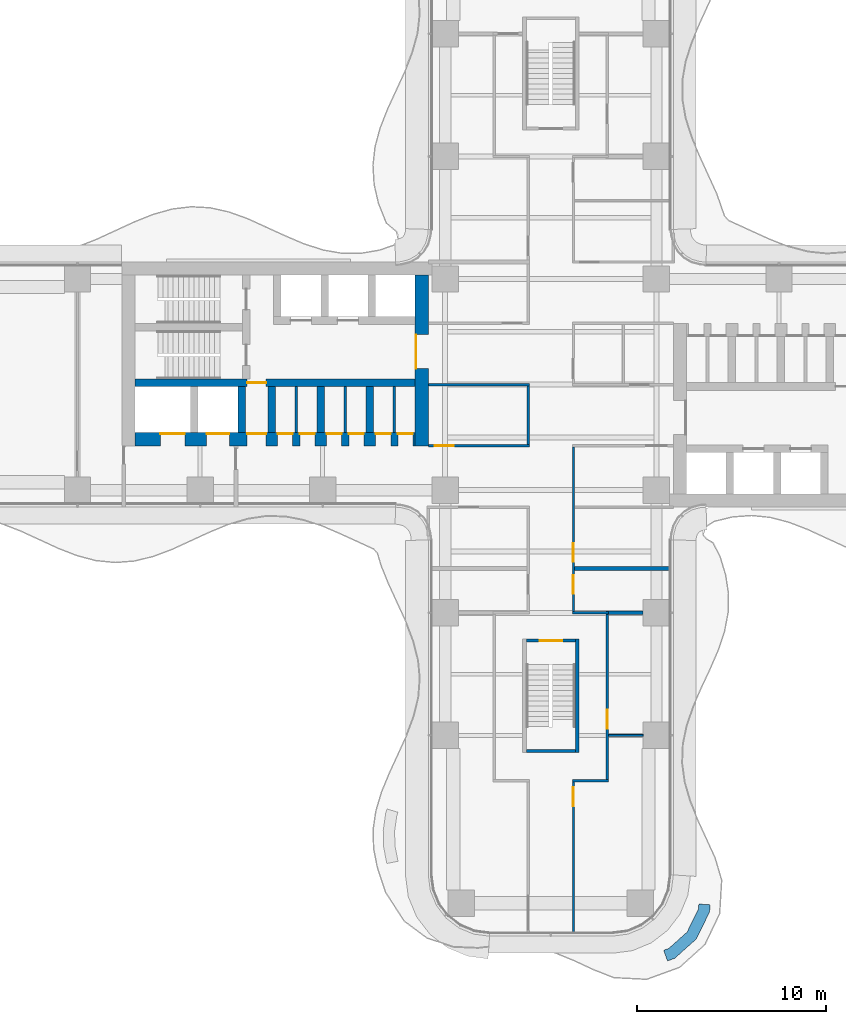
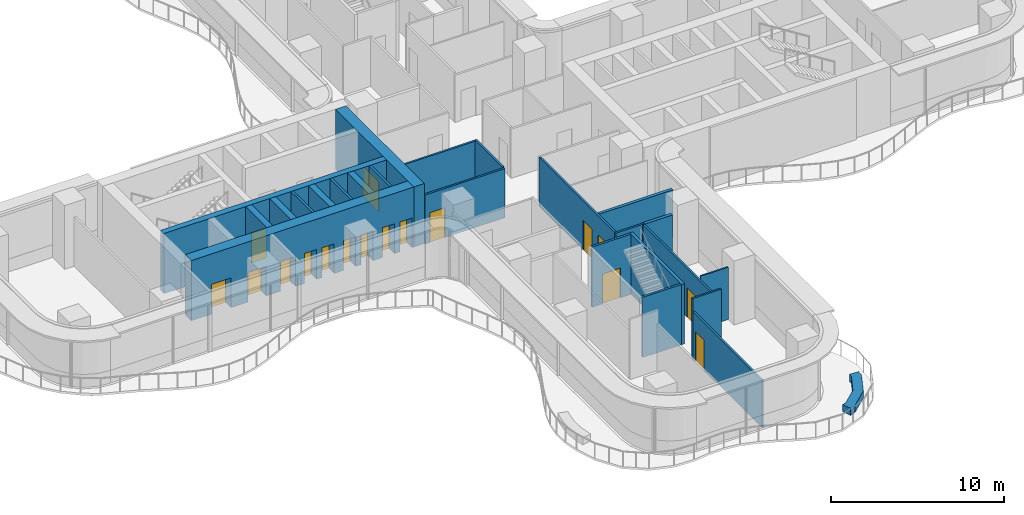
# One storey, part 17 of 22: 25 walls, 17 doors, 17 openings.
"""IFC4 building model written with IfcOpenShell, lengths in metres."""

from ifc_helpers import new_model, si_unit, direction, frame, frame_2d, origin, place, context, subcontext, project, spatial, polyline, rectangle, outline, extrude, source, transform, mapped, material, layer, layer_set, type_object, element, fill, save


model = new_model("IFC4")

# Units and contexts
model_context = context("Model", 3, precision=1e-05, world=origin(), true_north=direction((0.0, 1.0)))
body_context = subcontext(model_context, "Body", "Model", "MODEL_VIEW")
ifc_project = project(units=[si_unit("LENGTHUNIT", "METRE"), si_unit("AREAUNIT", "SQUARE_METRE"), si_unit("VOLUMEUNIT", "CUBIC_METRE"), si_unit("PLANEANGLEUNIT", "RADIAN"), si_unit("MASSUNIT", "GRAM", prefix="KILO")], contexts=[model_context])

# Site, building, storey
site_placement = place(None, origin())
site = spatial("IfcSite", under=ifc_project, at=site_placement, CompositionType="ELEMENT")
building_placement = place(site_placement, origin())
building = spatial("IfcBuilding", under=site, at=building_placement, Name="Trellis Farm Tower", CompositionType="ELEMENT")
storey_placement = place(building_placement, frame((0.0, 0.0, 47.5)))
storey = spatial("IfcBuildingStorey", under=building, at=storey_placement, Name="L09", CompositionType="ELEMENT", Elevation=47.5)

# Wall
ifc_material_1 = material(Name="Sandstone faced masonry planter", Category="masonry")
ifc_layer_1 = layer(ifc_material_1, 0.60009765625)
ifc_layer_set_1 = layer_set([ifc_layer_1], Name="PLANTER BED 600")
wall_type_1 = type_object("IfcWallType", Name="PLANTER BED 600", PredefinedType="USERDEFINED", material=ifc_layer_set_1)
wall_1_placement = place(storey_placement, origin())
element("IfcWall", 1, at=wall_1_placement, inside=storey, type_object=wall_type_1, Name="PLANTER bed", ObjectType="PLANTER", PredefinedType="USERDEFINED", context=body_context, shape_type="SweptSolid", body=[
    extrude(outline(polyline([(8.420166015625, -27.958740234375), (7.7158203125, -29.3984375), (6.5673828125, -30.42431640625), (6.188232421875, -30.5625), (5.982421875, -29.9990234375), (6.25341796875, -29.900146484375), (7.228515625, -29.029052734375), (7.82958984375, -27.80029296875), (7.84765625, -27.5419921875), (8.4462890625, -27.58349609375), (8.420166015625, -27.958740234375)])), origin(), (0.0, 0.0, 1.0), 0.5),
])

# Wall, opening, door
ifc_material_2 = material(Name="Concrete C80/95", Category="concrete")
ifc_layer_2 = layer(ifc_material_2, 0.699951171875)
ifc_layer_set_2 = layer_set([ifc_layer_2], Name="CORE OUTER WALL 700 CONCRETE C80/95")
wall_type_2 = type_object("IfcWallType", Name="CORE OUTER WALL 700 CONCRETE C80/95", PredefinedType="SHEAR", material=ifc_layer_set_2)
shared_shape_1 = source(origin(), body_context, "Body", "SweptSolid", [
    extrude(rectangle(XDim=9.050048828125, YDim=0.699951171875, at=frame_2d((4.52490234375, 0.0))), origin(), (0.0, 0.0, 1.0), 4.25),
])
wall_2_placement = place(storey_placement, frame((-6.85009765625, 5.800048828125, 0.0), z_axis=(0.0, 0.0, 1.0), x_axis=(0.0, -1.0, 0.0)))
wall_2 = element("IfcWall", 2, at=wall_2_placement, inside=storey, type_object=wall_type_2, Name="Core wall", PredefinedType="SHEAR", context=body_context, shape_type="MappedRepresentation", body=[
    mapped(shared_shape_1, transform((0.0, 0.0, 0.0))),
])
shared_shape_2 = source(origin(), body_context, "Body", "SweptSolid", [
    extrude(rectangle(XDim=1.800048828125, YDim=2.10009765625, at=frame_2d((0.89990234375, 1.050048828125))), frame((0.0, 0.360107421875, 0.0), z_axis=(0.0, -1.0, 0.0), x_axis=(1.0, 0.0, 0.0)), (0.0, 0.0, 1.0), 0.72021484375),
])
opening_1_placement = place(wall_2_placement, frame((3.14990234375, 0.0, 0.0)))
opening_1 = element("IfcOpeningElement", 3, at=opening_1_placement, cuts=wall_2, Name="Opening DC87", PredefinedType="OPENING", context=body_context, shape_type="MappedRepresentation", body=[
    mapped(shared_shape_2, transform((0.0, 0.0, 0.0))),
])
ifc_material_3 = material(Name="Steel", Category="steel")
door_type_1 = type_object("IfcDoorType", Name="CORE FIRE DOOR DOUBLE 1800 X 2100", OperationType="DOUBLE_DOOR_SINGLE_SWING", PredefinedType="DOOR", material=ifc_material_3)
shared_shape_3 = source(origin(), body_context, "Body", "SweptSolid", [
    extrude(rectangle(XDim=1.800048828125, YDim=2.10009765625, at=frame_2d((0.89990234375, 1.050048828125))), frame((0.0, -0.27490234375, 0.0), z_axis=(0.0, -1.0, 0.0), x_axis=(1.0, 0.0, 0.0)), (0.0, 0.0, 1.0), 0.050048828125),
])
door_1_placement = place(opening_1_placement, origin())
door_1 = element("IfcDoor", 4, at=door_1_placement, inside=storey, type_object=door_type_1, Name="Core door", OperationType="DOUBLE_DOOR_SINGLE_SWING", OverallHeight=2.10009765625, OverallWidth=1.800048828125, PredefinedType="DOOR", context=body_context, shape_type="MappedRepresentation", body=[
    mapped(shared_shape_3, transform((0.0, 0.0, 0.0))),
])
fill(opening_1, door_1)

# Walls
ifc_layer_3 = layer(ifc_material_2, 0.39990234375)
ifc_layer_set_3 = layer_set([ifc_layer_3], Name="CORE INNER WALL 400 CONCRETE C80/95")
wall_type_3 = type_object("IfcWallType", Name="CORE INNER WALL 400 CONCRETE C80/95", PredefinedType="SHEAR", material=ifc_layer_set_3)
shared_shape_4 = source(origin(), body_context, "Body", "SweptSolid", [
    extrude(rectangle(XDim=2.449951171875, YDim=0.39990234375, at=frame_2d((1.22509765625, 0.0))), origin(), (0.0, 0.0, 1.0), 4.25),
])
for number, where, z_axis, x_axis, name in (
    (5, (-9.60009765625, -0.10009765625, 0.0), (0.0, 0.0, 1.0), (0.0, -1.0, 0.0), "Core wall"),
    (6, (-12.199951171875, -0.10009765625, 0.0), (0.0, 0.0, 1.0), (0.0, -1.0, 0.0), "Core wall"),
    (7, (-14.800048828125, -0.10009765625, 0.0), (0.0, 0.0, 1.0), (0.0, -1.0, 0.0), "Core wall"),
    (8, (-16.39990234375, -0.10009765625, 0.0), (0.0, 0.0, 1.0), (0.0, -1.0, 0.0), "Core wall"),
):
    element("IfcWall", number, at=place(storey_placement, frame(where, z_axis=z_axis, x_axis=x_axis)), inside=storey, type_object=wall_type_3, Name=name, PredefinedType="SHEAR", context=body_context, shape_type="MappedRepresentation", body=[
        mapped(shared_shape_4, transform((0.0, 0.0, 0.0))),
    ])

# Wall, openings, doors
shared_shape_5 = source(origin(), body_context, "Body", "SweptSolid", [
    extrude(rectangle(XDim=14.85009765625, YDim=0.699951171875, at=frame_2d((7.425048828125, 0.0))), origin(), (0.0, 0.0, 1.0), 4.25),
])
wall_3_placement = place(storey_placement, frame((-7.199951171875, -2.89990234375, 0.0), z_axis=(0.0, 0.0, 1.0), x_axis=(-1.0, 0.0, 0.0)))
wall_3 = element("IfcWall", 9, at=wall_3_placement, inside=storey, type_object=wall_type_2, Name="Core wall", PredefinedType="SHEAR", context=body_context, shape_type="MappedRepresentation", body=[
    mapped(shared_shape_5, transform((0.0, 0.0, 0.0))),
])
shared_shape_6 = source(origin(), body_context, "Body", "SweptSolid", [
    extrude(rectangle(XDim=1.300048828125, YDim=2.10009765625, at=frame_2d((0.64990234375, 1.050048828125))), frame((0.0, 0.360107421875, 0.0), z_axis=(0.0, -1.0, 0.0), x_axis=(1.0, 0.0, 0.0)), (0.0, 0.0, 1.0), 0.72021484375),
])
opening_2_placement = place(wall_3_placement, frame((12.199951171875, 0.0, 0.0)))
opening_2 = element("IfcOpeningElement", 10, at=opening_2_placement, cuts=wall_3, Name="Opening LD15", PredefinedType="OPENING", context=body_context, shape_type="MappedRepresentation", body=[
    mapped(shared_shape_6, transform((0.0, 0.0, 0.0))),
])
shared_shape_7 = source(origin(), body_context, "Body", "SweptSolid", [
    extrude(rectangle(XDim=1.199951171875, YDim=2.10009765625, at=frame_2d((0.60009765625, 1.050048828125))), frame((0.0, 0.360107421875, 0.0), z_axis=(0.0, -1.0, 0.0), x_axis=(1.0, 0.0, 0.0)), (0.0, 0.0, 1.0), 0.72021484375),
])
opening_3_placement = place(wall_3_placement, frame((9.85009765625, 0.0, 0.0)))
opening_3 = element("IfcOpeningElement", 11, at=opening_3_placement, cuts=wall_3, Name="Opening LD16", PredefinedType="OPENING", context=body_context, shape_type="MappedRepresentation", body=[
    mapped(shared_shape_7, transform((0.0, 0.0, 0.0))),
])
shared_shape_8 = source(origin(), body_context, "Body", "SweptSolid", [
    extrude(rectangle(XDim=1.0, YDim=2.10009765625, at=frame_2d((0.5, 1.050048828125))), frame((0.0, 0.360107421875, 0.0), z_axis=(0.0, -1.0, 0.0), x_axis=(1.0, 0.0, 0.0)), (0.0, 0.0, 1.0), 0.72021484375),
])
opening_4_placement = place(wall_3_placement, frame((7.89990234375, 0.0, 0.0)))
opening_4 = element("IfcOpeningElement", 12, at=opening_4_placement, cuts=wall_3, Name="Opening DC92", PredefinedType="OPENING", context=body_context, shape_type="MappedRepresentation", body=[
    mapped(shared_shape_8, transform((0.0, 0.0, 0.0))),
])
shared_shape_9 = source(origin(), body_context, "Body", "SweptSolid", [
    extrude(rectangle(XDim=0.800048828125, YDim=2.10009765625, at=frame_2d((0.39990234375, 1.050048828125))), frame((0.0, 0.360107421875, 0.0), z_axis=(0.0, -1.0, 0.0), x_axis=(1.0, 0.0, 0.0)), (0.0, 0.0, 1.0), 0.72021484375),
])
opening_5_placement = place(wall_3_placement, frame((0.112548828125, 0.0, 0.0)))
opening_5 = element("IfcOpeningElement", 13, at=opening_5_placement, cuts=wall_3, Name="Opening DC95", PredefinedType="OPENING", context=body_context, shape_type="MappedRepresentation", body=[
    mapped(shared_shape_9, transform((0.0, 0.0, 0.0))),
])
opening_6_placement = place(wall_3_placement, frame((1.28759765625, 0.0, 0.0)))
opening_6 = element("IfcOpeningElement", 14, at=opening_6_placement, cuts=wall_3, Name="Opening DC102", PredefinedType="OPENING", context=body_context, shape_type="MappedRepresentation", body=[
    mapped(shared_shape_9, transform((0.0, 0.0, 0.0))),
])
opening_7_placement = place(wall_3_placement, frame((2.71240234375, 0.0, 0.0)))
opening_7 = element("IfcOpeningElement", 15, at=opening_7_placement, cuts=wall_3, Name="Opening DC107", PredefinedType="OPENING", context=body_context, shape_type="MappedRepresentation", body=[
    mapped(shared_shape_9, transform((0.0, 0.0, 0.0))),
])
opening_8_placement = place(wall_3_placement, frame((3.887451171875, 0.0, 0.0)))
opening_8 = element("IfcOpeningElement", 16, at=opening_8_placement, cuts=wall_3, Name="Opening DC114", PredefinedType="OPENING", context=body_context, shape_type="MappedRepresentation", body=[
    mapped(shared_shape_9, transform((0.0, 0.0, 0.0))),
])
opening_9_placement = place(wall_3_placement, frame((5.3125, 0.0, 0.0)))
opening_9 = element("IfcOpeningElement", 17, at=opening_9_placement, cuts=wall_3, Name="Opening DC119", PredefinedType="OPENING", context=body_context, shape_type="MappedRepresentation", body=[
    mapped(shared_shape_9, transform((0.0, 0.0, 0.0))),
])
opening_10_placement = place(wall_3_placement, frame((6.487548828125, 0.0, 0.0)))
opening_10 = element("IfcOpeningElement", 18, at=opening_10_placement, cuts=wall_3, Name="Opening DC126", PredefinedType="OPENING", context=body_context, shape_type="MappedRepresentation", body=[
    mapped(shared_shape_9, transform((0.0, 0.0, 0.0))),
])
door_type_2 = type_object("IfcDoorType", Name="CORE FIRE DOOR 1000 X 2100", OperationType="NOTDEFINED", PredefinedType="DOOR", material=ifc_material_3)
shared_shape_10 = source(origin(), body_context, "Body", "SweptSolid", [
    extrude(rectangle(XDim=1.0, YDim=2.10009765625, at=frame_2d((0.5, 1.050048828125))), frame((0.0, -0.27490234375, 0.0), z_axis=(0.0, -1.0, 0.0), x_axis=(1.0, 0.0, 0.0)), (0.0, 0.0, 1.0), 0.050048828125),
])
door_2_placement = place(opening_4_placement, origin())
door_2 = element("IfcDoor", 19, at=door_2_placement, inside=storey, type_object=door_type_2, Name="Core door", OperationType="SINGLE_SWING_LEFT", OverallHeight=2.10009765625, OverallWidth=1.0, PredefinedType="DOOR", context=body_context, shape_type="MappedRepresentation", body=[
    mapped(shared_shape_10, transform((0.0, 0.0, 0.0))),
])
fill(opening_4, door_2)
ifc_material_4 = material(Name="Stainless steel", Category="steel")
door_type_3 = type_object("IfcDoorType", Name="LIFT LANDING DOOR 1300 X 2100", OperationType="DOUBLE_DOOR_SLIDING", PredefinedType="DOOR", material=ifc_material_4)
shared_shape_11 = source(origin(), body_context, "Body", "SweptSolid", [
    extrude(rectangle(XDim=1.300048828125, YDim=2.10009765625, at=frame_2d((0.64990234375, 1.050048828125))), frame((0.0, -0.27490234375, 0.0), z_axis=(0.0, -1.0, 0.0), x_axis=(1.0, 0.0, 0.0)), (0.0, 0.0, 1.0), 0.050048828125),
])
door_3_placement = place(opening_2_placement, origin())
door_3 = element("IfcDoor", 20, at=door_3_placement, inside=storey, type_object=door_type_3, Name="Lift landing door", OperationType="DOUBLE_DOOR_SLIDING", OverallHeight=2.10009765625, OverallWidth=1.300048828125, PredefinedType="DOOR", context=body_context, shape_type="MappedRepresentation", body=[
    mapped(shared_shape_11, transform((0.0, 0.0, 0.0))),
])
fill(opening_2, door_3)
door_type_4 = type_object("IfcDoorType", Name="LIFT LANDING DOOR 1200 X 2100", OperationType="DOUBLE_DOOR_SLIDING", PredefinedType="DOOR", material=ifc_material_4)
shared_shape_12 = source(origin(), body_context, "Body", "SweptSolid", [
    extrude(rectangle(XDim=1.199951171875, YDim=2.10009765625, at=frame_2d((0.60009765625, 1.050048828125))), frame((0.0, -0.27490234375, 0.0), z_axis=(0.0, -1.0, 0.0), x_axis=(1.0, 0.0, 0.0)), (0.0, 0.0, 1.0), 0.050048828125),
])
door_4_placement = place(opening_3_placement, origin())
door_4 = element("IfcDoor", 21, at=door_4_placement, inside=storey, type_object=door_type_4, Name="Lift landing door", OperationType="DOUBLE_DOOR_SLIDING", OverallHeight=2.10009765625, OverallWidth=1.199951171875, PredefinedType="DOOR", context=body_context, shape_type="MappedRepresentation", body=[
    mapped(shared_shape_12, transform((0.0, 0.0, 0.0))),
])
fill(opening_3, door_4)
door_type_5 = type_object("IfcDoorType", Name="CORE FIRE DOOR 800 X 2100", OperationType="NOTDEFINED", PredefinedType="DOOR", material=ifc_material_3)
shared_shape_13 = source(origin(), body_context, "Body", "SweptSolid", [
    extrude(rectangle(XDim=0.800048828125, YDim=2.10009765625, at=frame_2d((0.39990234375, 1.050048828125))), frame((0.0, -0.27490234375, 0.0), z_axis=(0.0, -1.0, 0.0), x_axis=(1.0, 0.0, 0.0)), (0.0, 0.0, 1.0), 0.050048828125),
])
door_5_placement = place(opening_5_placement, origin())
door_5 = element("IfcDoor", 22, at=door_5_placement, inside=storey, type_object=door_type_5, Name="Core door", OperationType="SINGLE_SWING_LEFT", OverallHeight=2.10009765625, OverallWidth=0.800048828125, PredefinedType="DOOR", context=body_context, shape_type="MappedRepresentation", body=[
    mapped(shared_shape_13, transform((0.0, 0.0, 0.0))),
])
fill(opening_5, door_5)
door_6_placement = place(opening_6_placement, origin())
door_6 = element("IfcDoor", 23, at=door_6_placement, inside=storey, type_object=door_type_5, Name="Core door", OperationType="SINGLE_SWING_RIGHT", OverallHeight=2.10009765625, OverallWidth=0.800048828125, PredefinedType="DOOR", context=body_context, shape_type="MappedRepresentation", body=[
    mapped(shared_shape_13, transform((0.0, 0.0, 0.0))),
])
fill(opening_6, door_6)
door_7_placement = place(opening_7_placement, origin())
door_7 = element("IfcDoor", 24, at=door_7_placement, inside=storey, type_object=door_type_5, Name="Core door", OperationType="SINGLE_SWING_LEFT", OverallHeight=2.10009765625, OverallWidth=0.800048828125, PredefinedType="DOOR", context=body_context, shape_type="MappedRepresentation", body=[
    mapped(shared_shape_13, transform((0.0, 0.0, 0.0))),
])
fill(opening_7, door_7)
door_8_placement = place(opening_8_placement, origin())
door_8 = element("IfcDoor", 25, at=door_8_placement, inside=storey, type_object=door_type_5, Name="Core door", OperationType="SINGLE_SWING_RIGHT", OverallHeight=2.10009765625, OverallWidth=0.800048828125, PredefinedType="DOOR", context=body_context, shape_type="MappedRepresentation", body=[
    mapped(shared_shape_13, transform((0.0, 0.0, 0.0))),
])
fill(opening_8, door_8)
door_9_placement = place(opening_9_placement, origin())
door_9 = element("IfcDoor", 26, at=door_9_placement, inside=storey, type_object=door_type_5, Name="Core door", OperationType="SINGLE_SWING_LEFT", OverallHeight=2.10009765625, OverallWidth=0.800048828125, PredefinedType="DOOR", context=body_context, shape_type="MappedRepresentation", body=[
    mapped(shared_shape_13, transform((0.0, 0.0, 0.0))),
])
fill(opening_9, door_9)
door_10_placement = place(opening_10_placement, origin())
door_10 = element("IfcDoor", 27, at=door_10_placement, inside=storey, type_object=door_type_5, Name="Core door", OperationType="SINGLE_SWING_RIGHT", OverallHeight=2.10009765625, OverallWidth=0.800048828125, PredefinedType="DOOR", context=body_context, shape_type="MappedRepresentation", body=[
    mapped(shared_shape_13, transform((0.0, 0.0, 0.0))),
])
fill(opening_10, door_10)

# Wall, opening, door
shared_shape_14 = source(origin(), body_context, "Body", "SweptSolid", [
    extrude(rectangle(XDim=14.85009765625, YDim=0.39990234375, at=frame_2d((7.425048828125, 0.0))), origin(), (0.0, 0.0, 1.0), 4.25),
])
wall_4_placement = place(storey_placement, frame((-7.199951171875, 0.10009765625, 0.0), z_axis=(0.0, 0.0, 1.0), x_axis=(-1.0, 0.0, 0.0)))
wall_4 = element("IfcWall", 28, at=wall_4_placement, inside=storey, type_object=wall_type_3, Name="Core wall", PredefinedType="SHEAR", context=body_context, shape_type="MappedRepresentation", body=[
    mapped(shared_shape_14, transform((0.0, 0.0, 0.0))),
])
shared_shape_15 = source(origin(), body_context, "Body", "SweptSolid", [
    extrude(rectangle(XDim=1.0, YDim=2.10009765625, at=frame_2d((0.5, 1.050048828125))), frame((0.0, 0.2099609375, 0.0), z_axis=(0.0, -1.0, 0.0), x_axis=(1.0, 0.0, 0.0)), (0.0, 0.0, 1.0), 0.419921875),
])
opening_11_placement = place(wall_4_placement, frame((7.89990234375, 0.0, 0.0)))
opening_11 = element("IfcOpeningElement", 29, at=opening_11_placement, cuts=wall_4, Name="Opening DC91", PredefinedType="OPENING", context=body_context, shape_type="MappedRepresentation", body=[
    mapped(shared_shape_15, transform((0.0, 0.0, 0.0))),
])
shared_shape_16 = source(origin(), body_context, "Body", "SweptSolid", [
    extrude(rectangle(XDim=1.0, YDim=2.10009765625, at=frame_2d((0.5, 1.050048828125))), frame((0.0, 0.02490234375, 0.0), z_axis=(0.0, -1.0, 0.0), x_axis=(1.0, 0.0, 0.0)), (0.0, 0.0, 1.0), 0.050048828125),
])
door_11_placement = place(opening_11_placement, origin())
door_11 = element("IfcDoor", 30, at=door_11_placement, inside=storey, type_object=door_type_2, Name="Core door", OperationType="SINGLE_SWING_RIGHT", OverallHeight=2.10009765625, OverallWidth=1.0, PredefinedType="DOOR", context=body_context, shape_type="MappedRepresentation", body=[
    mapped(shared_shape_16, transform((0.0, 0.0, 0.0))),
])
fill(opening_11, door_11)

# Walls
ifc_material_5 = material(Name="Masonry blockwork", Category="masonry")
ifc_layer_4 = layer(ifc_material_5, 0.14990234375)
ifc_layer_set_4 = layer_set([ifc_layer_4], Name="CORE PARTITION 150 BLOCKWORK")
wall_type_4 = type_object("IfcWallType", Name="CORE PARTITION 150 BLOCKWORK", PredefinedType="PARTITIONING", material=ifc_layer_set_4)
shared_shape_17 = source(origin(), body_context, "Body", "SweptSolid", [
    extrude(rectangle(XDim=2.449951171875, YDim=0.14990234375, at=frame_2d((1.22509765625, 0.0))), origin(), (0.0, 0.0, 1.0), 4.25),
])
for number, where, z_axis, x_axis, name in (
    (31, (-8.300048828125, -0.10009765625, 0.0), (0.0, 0.0, 1.0), (0.0, -1.0, 0.0), "Core room partition"),
    (32, (-10.89990234375, -0.10009765625, 0.0), (0.0, 0.0, 1.0), (0.0, -1.0, 0.0), "Core room partition"),
    (33, (-13.5, -0.10009765625, 0.0), (0.0, 0.0, 1.0), (0.0, -1.0, 0.0), "Core room partition"),
):
    element("IfcWall", number, at=place(storey_placement, frame(where, z_axis=z_axis, x_axis=x_axis)), inside=storey, type_object=wall_type_4, Name=name, PredefinedType="PARTITIONING", context=body_context, shape_type="MappedRepresentation", body=[
        mapped(shared_shape_17, transform((0.0, 0.0, 0.0))),
    ])
ifc_layer_5 = layer(ifc_material_2, 0.199951171875)
ifc_layer_set_5 = layer_set([ifc_layer_5], Name="CORE STAIR ENCLOSURE WALL 200 CONCRETE C80/95")
wall_type_5 = type_object("IfcWallType", Name="CORE STAIR ENCLOSURE WALL 200 CONCRETE C80/95", PredefinedType="SHEAR", material=ifc_layer_set_5)
shared_shape_18 = source(origin(), body_context, "Body", "SweptSolid", [
    extrude(rectangle(XDim=6.0, YDim=0.199951171875, at=frame_2d((3.0, 0.0))), origin(), (0.0, 0.0, 1.0), 4.25),
])
wall_5_placement = place(storey_placement, frame((1.39990234375, -13.5, 0.0), z_axis=(0.0, 0.0, 1.0), x_axis=(0.0, -1.0, 0.0)))
element("IfcWall", 34, at=wall_5_placement, inside=storey, type_object=wall_type_5, Name="Stair enclosure wall", PredefinedType="SHEAR", context=body_context, shape_type="MappedRepresentation", body=[
    mapped(shared_shape_18, transform((0.0, 0.0, 0.0))),
])

# Wall, opening, door
ifc_layer_6 = layer(ifc_material_2, 0.14990234375)
ifc_layer_set_6 = layer_set([ifc_layer_6], Name="CORE STAIR ENCLOSURE WALL 150 CONCRETE C80/95")
wall_type_6 = type_object("IfcWallType", Name="CORE STAIR ENCLOSURE WALL 150 CONCRETE C80/95", PredefinedType="SHEAR", material=ifc_layer_set_6)
shared_shape_19 = source(origin(), body_context, "Body", "SweptSolid", [
    extrude(rectangle(XDim=2.60009765625, YDim=0.14990234375, at=frame_2d((1.300048828125, 0.0))), origin(), (0.0, 0.0, 1.0), 4.25),
])
wall_6_placement = place(storey_placement, frame((1.300048828125, -13.574951171875, 0.0), z_axis=(0.0, 0.0, 1.0), x_axis=(-1.0, 0.0, 0.0)))
wall_6 = element("IfcWall", 35, at=wall_6_placement, inside=storey, type_object=wall_type_6, Name="Stair enclosure wall", PredefinedType="SHEAR", context=body_context, shape_type="MappedRepresentation", body=[
    mapped(shared_shape_19, transform((0.0, 0.0, 0.0))),
])
shared_shape_20 = source(origin(), body_context, "Body", "SweptSolid", [
    extrude(rectangle(XDim=1.199951171875, YDim=2.10009765625, at=frame_2d((0.60009765625, 1.050048828125))), frame((0.0, 0.0849609375, 0.0), z_axis=(0.0, -1.0, 0.0), x_axis=(1.0, 0.0, 0.0)), (0.0, 0.0, 1.0), 0.169921875),
])
opening_12_placement = place(wall_6_placement, frame((0.699951171875, 0.0, 0.0)))
opening_12 = element("IfcOpeningElement", 36, at=opening_12_placement, cuts=wall_6, Name="Opening DC174", PredefinedType="OPENING", context=body_context, shape_type="MappedRepresentation", body=[
    mapped(shared_shape_20, transform((0.0, 0.0, 0.0))),
])
door_type_6 = type_object("IfcDoorType", Name="CORE FIRE DOOR 1200 X 2100", OperationType="NOTDEFINED", PredefinedType="DOOR", material=ifc_material_3)
shared_shape_21 = source(origin(), body_context, "Body", "SweptSolid", [
    extrude(rectangle(XDim=1.199951171875, YDim=2.10009765625, at=frame_2d((0.60009765625, 1.050048828125))), frame((0.0, 0.02490234375, 0.0), z_axis=(0.0, -1.0, 0.0), x_axis=(1.0, 0.0, 0.0)), (0.0, 0.0, 1.0), 0.050048828125),
])
door_12_placement = place(opening_12_placement, origin())
door_12 = element("IfcDoor", 37, at=door_12_placement, inside=storey, type_object=door_type_6, Name="Core door", OperationType="SINGLE_SWING_RIGHT", OverallHeight=2.10009765625, OverallWidth=1.199951171875, PredefinedType="DOOR", context=body_context, shape_type="MappedRepresentation", body=[
    mapped(shared_shape_21, transform((0.0, 0.0, 0.0))),
])
fill(opening_12, door_12)

# Walls
wall_7_placement = place(storey_placement, frame((1.300048828125, -19.425048828125, 0.0), z_axis=(0.0, 0.0, 1.0), x_axis=(-1.0, 0.0, 0.0)))
element("IfcWall", 38, at=wall_7_placement, inside=storey, type_object=wall_type_6, Name="Stair enclosure wall", PredefinedType="SHEAR", context=body_context, shape_type="MappedRepresentation", body=[
    mapped(shared_shape_19, transform((0.0, 0.0, 0.0))),
])
ifc_material_6 = material(Name="Plasterboard on steel studs, mineral wool", Category="steel")
ifc_layer_7 = layer(ifc_material_6, 0.125)
ifc_layer_set_7 = layer_set([ifc_layer_7], Name="PARTITION 125 STUD EI 60")
wall_type_7 = type_object("IfcWallType", Name="PARTITION 125 STUD EI 60", PredefinedType="PARTITIONING", material=ifc_layer_set_7)
shared_shape_22 = source(origin(), body_context, "Body", "SweptSolid", [
    extrude(rectangle(XDim=3.125, YDim=0.125, at=frame_2d((1.5625, 0.0))), origin(), (0.0, 0.0, 1.0), 3.54638671875),
])
wall_8_placement = place(storey_placement, frame((-1.199951171875, -0.0625, 0.0), z_axis=(0.0, 0.0, 1.0), x_axis=(0.0, -1.0, 0.0)))
element("IfcWall", 39, at=wall_8_placement, inside=storey, type_object=wall_type_7, Name="Partition PW1", PredefinedType="PARTITIONING", context=body_context, shape_type="MappedRepresentation", body=[
    mapped(shared_shape_22, transform((0.0, 0.0, 0.0))),
])
shared_shape_23 = source(origin(), body_context, "Body", "SweptSolid", [
    extrude(rectangle(XDim=1.925048828125, YDim=0.125, at=frame_2d((0.96240234375, 0.0))), origin(), (0.0, 0.0, 1.0), 3.4677734375),
])
wall_9_placement = place(storey_placement, frame((1.137451171875, -12.10009765625, 0.0), z_axis=(0.0, 0.0, 1.0), x_axis=(1.0, 0.0, 0.0)))
element("IfcWall", 40, at=wall_9_placement, inside=storey, type_object=wall_type_7, Name="Partition PW1", PredefinedType="PARTITIONING", context=body_context, shape_type="MappedRepresentation", body=[
    mapped(shared_shape_23, transform((0.0, 0.0, 0.0))),
])

# Wall, opening, door
shared_shape_24 = source(origin(), body_context, "Body", "SweptSolid", [
    extrude(rectangle(XDim=5.362548828125, YDim=0.125, at=frame_2d((2.68115234375, 0.0))), origin(), (0.0, 0.0, 1.0), 3.4677734375),
])
wall_10_placement = place(storey_placement, frame((-1.137451171875, -3.25, 0.0), z_axis=(0.0, 0.0, 1.0), x_axis=(-1.0, 0.0, 0.0)))
wall_10 = element("IfcWall", 41, at=wall_10_placement, inside=storey, type_object=wall_type_7, Name="Partition PW1", PredefinedType="PARTITIONING", context=body_context, shape_type="MappedRepresentation", body=[
    mapped(shared_shape_24, transform((0.0, 0.0, 0.0))),
])
shared_shape_25 = source(origin(), body_context, "Body", "SweptSolid", [
    extrude(rectangle(XDim=1.0, YDim=2.10009765625, at=frame_2d((0.5, 1.050048828125))), frame((0.0, 0.072509765625, 0.0), z_axis=(0.0, -1.0, 0.0), x_axis=(1.0, 0.0, 0.0)), (0.0, 0.0, 1.0), 0.14501953125),
])
opening_13_placement = place(wall_10_placement, frame((4.012451171875, 0.0, 0.0)))
opening_13 = element("IfcOpeningElement", 42, at=opening_13_placement, cuts=wall_10, Name="Opening D107", PredefinedType="OPENING", context=body_context, shape_type="MappedRepresentation", body=[
    mapped(shared_shape_25, transform((0.0, 0.0, 0.0))),
])
ifc_material_7 = material(Name="Fire-rated timber door leaf in a hollow metal frame", Category="wood")
door_type_7 = type_object("IfcDoorType", Name="DOOR 1000x2100 FD30S", OperationType="NOTDEFINED", PredefinedType="DOOR", material=ifc_material_7)
door_13_placement = place(opening_13_placement, origin())
door_13 = element("IfcDoor", 43, at=door_13_placement, inside=storey, type_object=door_type_7, Name="Door D107", OperationType="SINGLE_SWING_RIGHT", OverallHeight=2.10009765625, OverallWidth=1.0, PredefinedType="DOOR", context=body_context, shape_type="MappedRepresentation", body=[
    mapped(shared_shape_16, transform((0.0, 0.0, 0.0))),
])
fill(opening_13, door_13)

# Walls
wall_11_placement = place(storey_placement, frame((-1.137451171875, 0.0, 0.0), z_axis=(0.0, 0.0, 1.0), x_axis=(-1.0, 0.0, 0.0)))
element("IfcWall", 44, at=wall_11_placement, inside=storey, type_object=wall_type_7, Name="Partition PW1", PredefinedType="PARTITIONING", context=body_context, shape_type="MappedRepresentation", body=[
    mapped(shared_shape_24, transform((0.0, 0.0, 0.0))),
])
ifc_material_8 = material(Name="Lightweight blockwork, plastered", Category="masonry")
ifc_layer_8 = layer(ifc_material_8, 0.199951171875)
ifc_layer_set_8 = layer_set([ifc_layer_8], Name="BLOCK WALL 200 EI 120")
wall_type_8 = type_object("IfcWallType", Name="BLOCK WALL 200 EI 120", PredefinedType="PARTITIONING", material=ifc_layer_set_8)
shared_shape_26 = source(origin(), body_context, "Body", "SweptSolid", [
    extrude(rectangle(XDim=1.96240234375, YDim=0.199951171875, at=frame_2d((0.981201171875, 0.0))), origin(), (0.0, 0.0, 1.0), 3.4677734375),
])
wall_12_placement = place(storey_placement, frame((2.9375, -12.10009765625, 0.0), z_axis=(0.0, 0.0, 1.0), x_axis=(1.0, 0.0, 0.0)))
element("IfcWall", 45, at=wall_12_placement, inside=storey, type_object=wall_type_8, Name="Partition PW3", PredefinedType="PARTITIONING", context=body_context, shape_type="MappedRepresentation", body=[
    mapped(shared_shape_26, transform((0.0, 0.0, 0.0))),
])

# Wall, openings, doors
shared_shape_27 = source(origin(), body_context, "Body", "SweptSolid", [
    extrude(rectangle(XDim=8.72509765625, YDim=0.125, at=frame_2d((4.362548828125, 0.0))), origin(), (0.0, 0.0, 1.0), 3.4677734375),
])
wall_13_placement = place(storey_placement, frame((1.199951171875, -3.3125, 0.0), z_axis=(0.0, 0.0, 1.0), x_axis=(0.0, -1.0, 0.0)))
wall_13 = element("IfcWall", 46, at=wall_13_placement, inside=storey, type_object=wall_type_7, Name="Partition PW1", PredefinedType="PARTITIONING", context=body_context, shape_type="MappedRepresentation", body=[
    mapped(shared_shape_27, transform((0.0, 0.0, 0.0))),
])
opening_14_placement = place(wall_13_placement, frame((6.78759765625, 0.0, 0.0)))
opening_14 = element("IfcOpeningElement", 47, at=opening_14_placement, cuts=wall_13, Name="Opening D103", PredefinedType="OPENING", context=body_context, shape_type="MappedRepresentation", body=[
    mapped(shared_shape_25, transform((0.0, 0.0, 0.0))),
])
opening_15_placement = place(wall_13_placement, frame((5.08740234375, 0.0, 0.0)))
opening_15 = element("IfcOpeningElement", 48, at=opening_15_placement, cuts=wall_13, Name="Opening D104", PredefinedType="OPENING", context=body_context, shape_type="MappedRepresentation", body=[
    mapped(shared_shape_25, transform((0.0, 0.0, 0.0))),
])
door_14_placement = place(opening_14_placement, origin())
door_14 = element("IfcDoor", 49, at=door_14_placement, inside=storey, type_object=door_type_7, Name="Door D103", OperationType="SINGLE_SWING_LEFT", OverallHeight=2.10009765625, OverallWidth=1.0, PredefinedType="DOOR", context=body_context, shape_type="MappedRepresentation", body=[
    mapped(shared_shape_16, transform((0.0, 0.0, 0.0))),
])
fill(opening_14, door_14)
door_15_placement = place(opening_15_placement, origin())
door_15 = element("IfcDoor", 50, at=door_15_placement, inside=storey, type_object=door_type_7, Name="Door D104", OperationType="SINGLE_SWING_RIGHT", OverallHeight=2.10009765625, OverallWidth=1.0, PredefinedType="DOOR", context=body_context, shape_type="MappedRepresentation", body=[
    mapped(shared_shape_16, transform((0.0, 0.0, 0.0))),
])
fill(opening_15, door_15)

# Wall, opening, door
shared_shape_28 = source(origin(), body_context, "Body", "SweptSolid", [
    extrude(rectangle(XDim=7.987548828125, YDim=0.125, at=frame_2d((3.99365234375, 0.0))), origin(), (0.0, 0.0, 1.0), 3.330078125),
])
wall_14_placement = place(storey_placement, frame((1.199951171875, -21.0625, 0.0), z_axis=(0.0, 0.0, 1.0), x_axis=(0.0, -1.0, 0.0)))
wall_14 = element("IfcWall", 51, at=wall_14_placement, inside=storey, type_object=wall_type_7, Name="Partition PW1", PredefinedType="PARTITIONING", context=body_context, shape_type="MappedRepresentation", body=[
    mapped(shared_shape_28, transform((0.0, 0.0, 0.0))),
])
opening_16_placement = place(wall_14_placement, frame((0.28759765625, 0.0, 0.0)))
opening_16 = element("IfcOpeningElement", 52, at=opening_16_placement, cuts=wall_14, Name="Opening D101", PredefinedType="OPENING", context=body_context, shape_type="MappedRepresentation", body=[
    mapped(shared_shape_25, transform((0.0, 0.0, 0.0))),
])
door_16_placement = place(opening_16_placement, origin())
door_16 = element("IfcDoor", 53, at=door_16_placement, inside=storey, type_object=door_type_7, Name="Door D101", OperationType="SINGLE_SWING_LEFT", OverallHeight=2.10009765625, OverallWidth=1.0, PredefinedType="DOOR", context=body_context, shape_type="MappedRepresentation", body=[
    mapped(shared_shape_16, transform((0.0, 0.0, 0.0))),
])
fill(opening_16, door_16)

shared_shape_29 = source(origin(), body_context, "Body", "SweptSolid", [
    extrude(rectangle(XDim=8.737548828125, YDim=0.125, at=frame_2d((4.36865234375, 0.0))), origin(), (0.0, 0.0, 1.0), 3.4677734375),
])
wall_15_placement = place(storey_placement, frame((3.0, -12.199951171875, 0.0), z_axis=(0.0, 0.0, 1.0), x_axis=(0.0, -1.0, 0.0)))
wall_15 = element("IfcWall", 54, at=wall_15_placement, inside=storey, type_object=wall_type_7, Name="Partition PW1", PredefinedType="PARTITIONING", context=body_context, shape_type="MappedRepresentation", body=[
    mapped(shared_shape_29, transform((0.0, 0.0, 0.0))),
])
opening_17_placement = place(wall_15_placement, frame((5.050048828125, 0.0, 0.0)))
opening_17 = element("IfcOpeningElement", 55, at=opening_17_placement, cuts=wall_15, Name="Opening D102", PredefinedType="OPENING", context=body_context, shape_type="MappedRepresentation", body=[
    mapped(shared_shape_25, transform((0.0, 0.0, 0.0))),
])
door_17_placement = place(opening_17_placement, origin())
door_17 = element("IfcDoor", 56, at=door_17_placement, inside=storey, type_object=door_type_7, Name="Door D102", OperationType="SINGLE_SWING_RIGHT", OverallHeight=2.10009765625, OverallWidth=1.0, PredefinedType="DOOR", context=body_context, shape_type="MappedRepresentation", body=[
    mapped(shared_shape_16, transform((0.0, 0.0, 0.0))),
])
fill(opening_17, door_17)

# Walls
shared_shape_30 = source(origin(), body_context, "Body", "SweptSolid", [
    extrude(rectangle(XDim=1.925048828125, YDim=0.125, at=frame_2d((0.96240234375, 0.0))), origin(), (0.0, 0.0, 1.0), 4.25),
])
wall_16_placement = place(storey_placement, frame((3.0625, -21.0, 0.0), z_axis=(0.0, 0.0, 1.0), x_axis=(-1.0, 0.0, 0.0)))
element("IfcWall", 57, at=wall_16_placement, inside=storey, type_object=wall_type_7, Name="Partition PW1", PredefinedType="PARTITIONING", context=body_context, shape_type="MappedRepresentation", body=[
    mapped(shared_shape_30, transform((0.0, 0.0, 0.0))),
])
shared_shape_31 = source(origin(), body_context, "Body", "SweptSolid", [
    extrude(rectangle(XDim=5.03759765625, YDim=0.199951171875, at=frame_2d((2.518798828125, 0.0))), origin(), (0.0, 0.0, 1.0), 3.330078125),
])
wall_17_placement = place(storey_placement, frame((1.262451171875, -9.75, 0.0), z_axis=(0.0, 0.0, 1.0), x_axis=(1.0, 0.0, 0.0)))
element("IfcWall", 58, at=wall_17_placement, inside=storey, type_object=wall_type_8, Name="Partition PW3", PredefinedType="PARTITIONING", context=body_context, shape_type="MappedRepresentation", body=[
    mapped(shared_shape_31, transform((0.0, 0.0, 0.0))),
])
ifc_material_9 = material(Name="Plasterboard on steel studs", Category="steel")
ifc_layer_9 = layer(ifc_material_9, 0.10009765625)
ifc_layer_set_9 = layer_set([ifc_layer_9], Name="PARTITION 100 STUD EI 30")
wall_type_9 = type_object("IfcWallType", Name="PARTITION 100 STUD EI 30", PredefinedType="PARTITIONING", material=ifc_layer_set_9)
shared_shape_32 = source(origin(), body_context, "Body", "SweptSolid", [
    extrude(rectangle(XDim=1.83740234375, YDim=0.10009765625, at=frame_2d((0.918701171875, 0.0))), origin(), (0.0, 0.0, 1.0), 3.69677734375),
])
wall_18_placement = place(storey_placement, frame((3.0625, -18.60009765625, 0.0), z_axis=(0.0, 0.0, 1.0), x_axis=(1.0, 0.0, 0.0)))
element("IfcWall", 59, at=wall_18_placement, inside=storey, type_object=wall_type_9, Name="Partition PW2", PredefinedType="PARTITIONING", context=body_context, shape_type="MappedRepresentation", body=[
    mapped(shared_shape_32, transform((0.0, 0.0, 0.0))),
])

save(model, "model.ifc")
